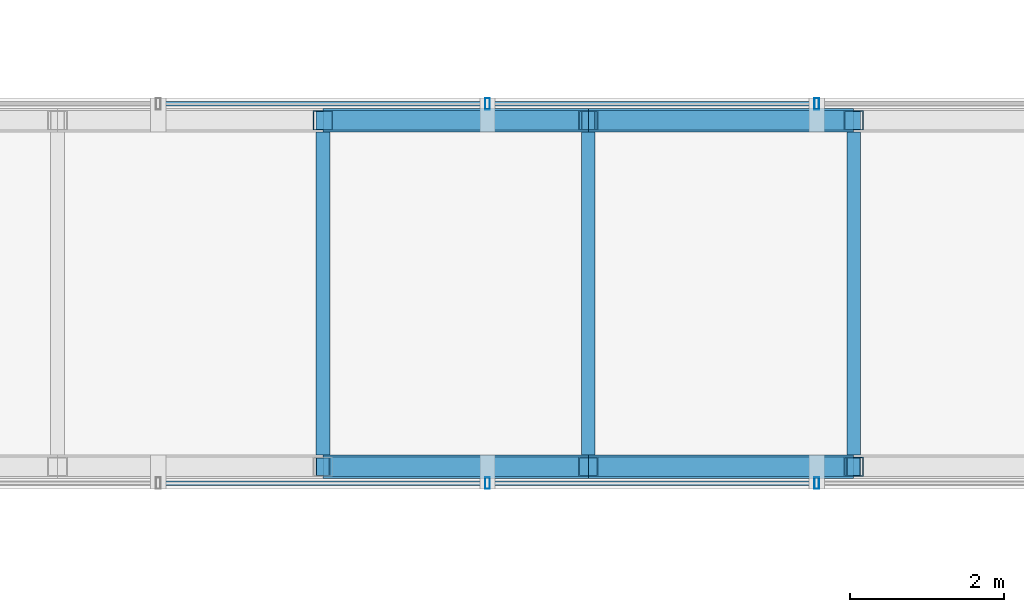
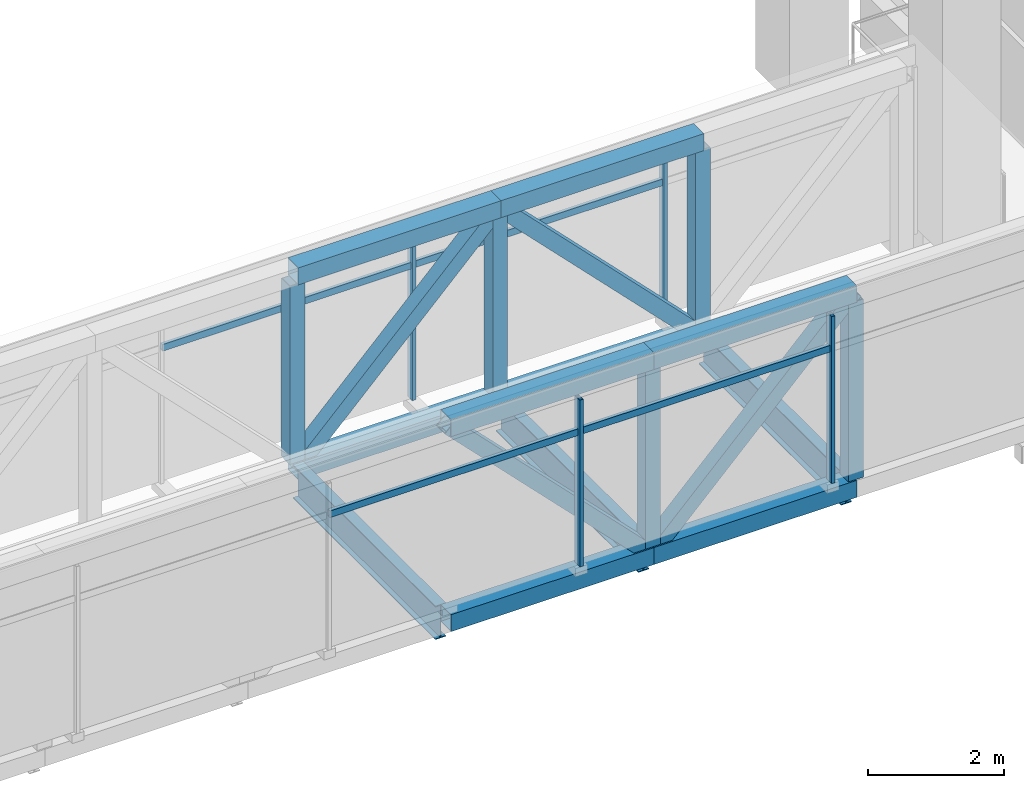
# One storey, part 14 of 48: 25 members, 3 beams, 2 elements without a shape of their own.
"""IFC4 building model written with IfcOpenShell, lengths in metres."""

from ifc_helpers import new_model, si_unit, direction, frame, origin, origin_2d, place, context, subcontext, project, spatial, hollow_rectangle, i_section, extrude, material, material_profile, profile_set, type_object, element, aggregate, save


model = new_model("IFC4")

# Units and contexts
model_context = context("Model", 3, precision=1e-05, world=origin(), true_north=direction((0.0, 1.0)))
body_context = subcontext(model_context, "Body", "Model", "MODEL_VIEW")
ifc_project = project(units=[si_unit("LENGTHUNIT", "METRE"), si_unit("AREAUNIT", "SQUARE_METRE"), si_unit("VOLUMEUNIT", "CUBIC_METRE"), si_unit("PLANEANGLEUNIT", "RADIAN"), si_unit("MASSUNIT", "GRAM", prefix="KILO")], contexts=[model_context])

# Site, building, storey
site_placement = place(None, origin())
site = spatial("IfcSite", under=ifc_project, at=site_placement, CompositionType="ELEMENT")
building_placement = place(site_placement, origin())
building = spatial("IfcBuilding", under=site, at=building_placement, Name="Altepetl Exchange Towers", CompositionType="ELEMENT")
storey_placement = place(building_placement, frame((0.0, 0.0, 138.800048828125)))
storey = spatial("IfcBuildingStorey", under=building, at=storey_placement, Name="L34 Refuge and sky lobby", CompositionType="ELEMENT", Elevation=138.800048828125)

# Members
ifc_material_1 = material(Name="Steel S355", Category="steel")
ifc_material_profile_1 = material_profile(ifc_material_1, hollow_rectangle(XDim=0.304931640625, YDim=0.304931640625, WallThickness=0.01171875, at=origin_2d()), Name="HSS305X305X12.7")
ifc_profile_set_1 = profile_set([ifc_material_profile_1], Name="Steel S355")
member_type_1 = type_object("IfcMemberType", Name="Bridge chord HSS305X305X12.7", PredefinedType="CHORD", material=ifc_profile_set_1)
for number, where, z_axis, x_axis, name in (
    (1, (83.25, 45.0, -0.3525390625), (1.0, 0.0, 0.0), (0.0, 1.0, 0.0), "tr:X:L34:bc-s3"),
    (2, (83.25, 45.0, 3.15234375), (1.0, 0.0, 0.0), (0.0, 1.0, 0.0), "tr:X:L34:tc-s3"),
    (3, (86.699951171875, 45.0, -0.3525390625), (1.0, 0.0, 0.0), (0.0, 1.0, 0.0), "tr:X:L34:bc-s4"),
    (4, (86.699951171875, 45.0, 3.15234375), (1.0, 0.0, 0.0), (0.0, 1.0, 0.0), "tr:X:L34:tc-s4"),
    (5, (83.25, 49.5, -0.3525390625), (1.0, 0.0, 0.0), (0.0, 1.0, 0.0), "tr:X:L34:bc-n3"),
    (6, (83.25, 49.5, 3.15234375), (1.0, 0.0, 0.0), (0.0, 1.0, 0.0), "tr:X:L34:tc-n3"),
    (7, (86.699951171875, 49.5, -0.3525390625), (1.0, 0.0, 0.0), (0.0, 1.0, 0.0), "tr:X:L34:bc-n4"),
    (8, (86.699951171875, 49.5, 3.15234375), (1.0, 0.0, 0.0), (0.0, 1.0, 0.0), "tr:X:L34:tc-n4"),
):
    element("IfcMember", number, at=place(storey_placement, frame(where, z_axis=z_axis, x_axis=x_axis)), inside=storey, type_object=member_type_1, Name=name, PredefinedType="CHORD", context=body_context, shape_type="SweptSolid", body=[
        extrude(hollow_rectangle(XDim=0.304931640625, YDim=0.304931640625, WallThickness=0.01171875, at=origin_2d()), origin(), (0.0, 0.0, 1.0), 3.449951171875),
    ])

# Beams
ifc_material_profile_2 = material_profile(ifc_material_1, i_section(OverallWidth=0.178955078125, OverallDepth=0.60302734375, WebThickness=0.010986328125, FlangeThickness=0.014892578125, at=origin_2d()), Name="W24X62")
ifc_profile_set_2 = profile_set([ifc_material_profile_2], Name="Steel S355")
beam_type = type_object("IfcBeamType", Name="Bridge deck beam W24X62", PredefinedType="BEAM", material=ifc_profile_set_2)
for number, where, z_axis, x_axis, name in (
    (9, (83.25, 45.152587890625, -0.50146484375), (0.0, 1.0, 0.0), (-1.0, 0.0, 0.0), "bm:X:L34:cb3"),
    (10, (86.699951171875, 45.152587890625, -0.50146484375), (0.0, 1.0, 0.0), (-1.0, 0.0, 0.0), "bm:X:L34:cb4"),
    (11, (90.14990234375, 45.152587890625, -0.50146484375), (0.0, 1.0, 0.0), (-1.0, 0.0, 0.0), "bm:X:L34:cb5"),
):
    element("IfcBeam", number, at=place(storey_placement, frame(where, z_axis=z_axis, x_axis=x_axis)), inside=storey, type_object=beam_type, Name=name, PredefinedType="BEAM", context=body_context, shape_type="SweptSolid", body=[
        extrude(i_section(OverallWidth=0.178955078125, OverallDepth=0.60302734375, WebThickness=0.010986328125, FlangeThickness=0.014892578125, at=origin_2d()), origin(), (0.0, 0.0, 1.0), 4.19482421875),
    ])

# Members
ifc_material_profile_3 = material_profile(ifc_material_1, hollow_rectangle(XDim=0.25390625, YDim=0.25390625, WallThickness=0.01171875, at=origin_2d()), Name="HSS254X254X12.7")
ifc_profile_set_3 = profile_set([ifc_material_profile_3], Name="Steel S355")
member_type_2 = type_object("IfcMemberType", Name="Bridge diagonal HSS254X254X12.7", PredefinedType="BRACE", material=ifc_profile_set_3)
for number, where, z_axis, x_axis, name in (
    (12, (83.25, 45.0, 3.15234375), (0.701499930937, 0.0, -0.712669521515), (0.0, 1.0, 0.0), "tr:X:L34:dg-s3"),
    (13, (86.699951171875, 45.0, -0.3525390625), (0.701499930937, 0.0, 0.712669521515), (0.0, 1.0, 0.0), "tr:X:L34:dg-s4"),
    (14, (83.25, 49.5, -0.3525390625), (0.701499930937, 0.0, 0.712669521515), (0.0, 1.0, 0.0), "tr:X:L34:dg-n3"),
    (15, (86.699951171875, 49.5, 3.15234375), (0.701499930937, 0.0, -0.712669521515), (0.0, 1.0, 0.0), "tr:X:L34:dg-n4"),
):
    element("IfcMember", number, at=place(storey_placement, frame(where, z_axis=z_axis, x_axis=x_axis)), inside=storey, type_object=member_type_2, Name=name, PredefinedType="BRACE", context=body_context, shape_type="SweptSolid", body=[
        extrude(hollow_rectangle(XDim=0.25390625, YDim=0.25390625, WallThickness=0.01171875, at=origin_2d()), origin(), (0.0, 0.0, 1.0), 4.91796875),
    ])
ifc_material_profile_4 = material_profile(ifc_material_1, hollow_rectangle(XDim=0.25390625, YDim=0.25390625, WallThickness=0.01171875, at=origin_2d()), Name="HSS254X254X12.7")
ifc_profile_set_4 = profile_set([ifc_material_profile_4], Name="Steel S355")
member_type_3 = type_object("IfcMemberType", Name="Bridge post HSS254X254X12.7", PredefinedType="POST", material=ifc_profile_set_4)
for number, where, name in (
    (16, (86.699951171875, 45.0, -0.199951171875), "tr:X:L34:ps-s4"),
    (17, (90.14990234375, 45.0, -0.199951171875), "tr:X:L34:ps-s5"),
    (18, (83.25, 49.5, -0.199951171875), "tr:X:L34:ps-n3"),
    (19, (86.699951171875, 49.5, -0.199951171875), "tr:X:L34:ps-n4"),
    (20, (90.14990234375, 49.5, -0.199951171875), "tr:X:L34:ps-n5"),
):
    element("IfcMember", number, at=place(storey_placement, frame(where)), inside=storey, type_object=member_type_3, Name=name, PredefinedType="POST", context=body_context, shape_type="SweptSolid", body=[
        extrude(hollow_rectangle(XDim=0.25390625, YDim=0.25390625, WallThickness=0.01171875, at=origin_2d()), origin(), (0.0, 0.0, 1.0), 3.199951171875),
    ])

# Curtain wall, members
ifc_material_2 = material(Name="Aluminium 6063-T6 glazing", Category="aluminium")
curtain_wall_type = type_object("IfcCurtainWallType", Name="Bridge enclosure system", PredefinedType="NOTDEFINED", material=ifc_material_2)
curtain_wall_1_placement = place(storey_placement, origin())
curtain_wall_1 = element("IfcCurtainWall", 21, at=curtain_wall_1_placement, inside=storey, type_object=curtain_wall_type, Name="CW6 run", PredefinedType="NOTDEFINED")
ifc_material_3 = material(Name="Aluminium 6063-T6", Category="aluminium")
ifc_material_profile_5 = material_profile(ifc_material_3, hollow_rectangle(XDim=0.06005859375, YDim=0.14990234375, WallThickness=0.0029296875, at=origin_2d()), Name="Mullion 60x150 aluminium")
ifc_profile_set_5 = profile_set([ifc_material_profile_5], Name="Aluminium 6063-T6")
member_type_4 = type_object("IfcMemberType", Name="Mullion 60x150 aluminium", PredefinedType="MULLION", material=ifc_profile_set_5)
member_1_placement = place(storey_placement, frame((85.389892578125, 44.784912109375, 0.0)))
member_1 = element("IfcMember", 22, at=member_1_placement, type_object=member_type_4, Name="MU1 mullion", PredefinedType="MULLION", context=body_context, shape_type="SweptSolid", body=[
    extrude(hollow_rectangle(XDim=0.06005859375, YDim=0.14990234375, WallThickness=0.0029296875, at=origin_2d()), origin(), (0.0, 0.0, 1.0), 3.0),
])
member_2_placement = place(storey_placement, frame((89.669921875, 44.784912109375, 0.0)))
member_2 = element("IfcMember", 23, at=member_2_placement, type_object=member_type_4, Name="MU1 mullion", PredefinedType="MULLION", context=body_context, shape_type="SweptSolid", body=[
    extrude(hollow_rectangle(XDim=0.06005859375, YDim=0.14990234375, WallThickness=0.0029296875, at=origin_2d()), origin(), (0.0, 0.0, 1.0), 3.0),
])

curtain_wall_2_placement = place(storey_placement, origin())
curtain_wall_2 = element("IfcCurtainWall", 24, at=curtain_wall_2_placement, inside=storey, type_object=curtain_wall_type, Name="CW6 run", PredefinedType="NOTDEFINED")
member_3_placement = place(storey_placement, frame((85.389892578125, 49.715087890625, 0.0)))
member_3 = element("IfcMember", 25, at=member_3_placement, type_object=member_type_4, Name="MU1 mullion", PredefinedType="MULLION", context=body_context, shape_type="SweptSolid", body=[
    extrude(hollow_rectangle(XDim=0.06005859375, YDim=0.14990234375, WallThickness=0.0029296875, at=origin_2d()), origin(), (0.0, 0.0, 1.0), 3.0),
])
member_4_placement = place(storey_placement, frame((89.669921875, 49.715087890625, 0.0)))
member_4 = element("IfcMember", 26, at=member_4_placement, type_object=member_type_4, Name="MU1 mullion", PredefinedType="MULLION", context=body_context, shape_type="SweptSolid", body=[
    extrude(hollow_rectangle(XDim=0.06005859375, YDim=0.14990234375, WallThickness=0.0029296875, at=origin_2d()), origin(), (0.0, 0.0, 1.0), 3.0),
])

# Member
ifc_material_profile_6 = material_profile(ifc_material_3, hollow_rectangle(XDim=0.06005859375, YDim=0.1201171875, WallThickness=0.0029296875, at=origin_2d()), Name="Transom 60x120 aluminium")
ifc_profile_set_6 = profile_set([ifc_material_profile_6], Name="Aluminium 6063-T6")
member_type_5 = type_object("IfcMemberType", Name="Transom 60x120 aluminium", PredefinedType="USERDEFINED", material=ifc_profile_set_6)
member_5_placement = place(storey_placement, frame((81.139892578125, 44.784912109375, 2.39990234375), z_axis=(1.0, 0.0, 0.0), x_axis=(0.0, 1.0, 0.0)))
member_5 = element("IfcMember", 27, at=member_5_placement, type_object=member_type_5, Name="TR1 transom", ObjectType="TRANSOM", PredefinedType="USERDEFINED", context=body_context, shape_type="SweptSolid", body=[
    extrude(hollow_rectangle(XDim=0.06005859375, YDim=0.1201171875, WallThickness=0.0029296875, at=origin_2d()), origin(), (0.0, 0.0, 1.0), 4.22021484375),
])

member_6_placement = place(storey_placement, frame((85.419921875, 44.784912109375, 2.39990234375), z_axis=(1.0, 0.0, 0.0), x_axis=(0.0, 1.0, 0.0)))
member_6 = element("IfcMember", 28, at=member_6_placement, type_object=member_type_5, Name="TR1 transom", ObjectType="TRANSOM", PredefinedType="USERDEFINED", context=body_context, shape_type="SweptSolid", body=[
    extrude(hollow_rectangle(XDim=0.06005859375, YDim=0.1201171875, WallThickness=0.0029296875, at=origin_2d()), origin(), (0.0, 0.0, 1.0), 4.219970703125),
])

aggregate(curtain_wall_1, [member_1, member_2, member_5, member_6])

member_7_placement = place(storey_placement, frame((81.139892578125, 49.715087890625, 2.39990234375), z_axis=(1.0, 0.0, 0.0), x_axis=(0.0, 1.0, 0.0)))
member_7 = element("IfcMember", 29, at=member_7_placement, type_object=member_type_5, Name="TR1 transom", ObjectType="TRANSOM", PredefinedType="USERDEFINED", context=body_context, shape_type="SweptSolid", body=[
    extrude(hollow_rectangle(XDim=0.06005859375, YDim=0.1201171875, WallThickness=0.0029296875, at=origin_2d()), origin(), (0.0, 0.0, 1.0), 4.22021484375),
])

member_8_placement = place(storey_placement, frame((85.419921875, 49.715087890625, 2.39990234375), z_axis=(1.0, 0.0, 0.0), x_axis=(0.0, 1.0, 0.0)))
member_8 = element("IfcMember", 30, at=member_8_placement, type_object=member_type_5, Name="TR1 transom", ObjectType="TRANSOM", PredefinedType="USERDEFINED", context=body_context, shape_type="SweptSolid", body=[
    extrude(hollow_rectangle(XDim=0.06005859375, YDim=0.1201171875, WallThickness=0.0029296875, at=origin_2d()), origin(), (0.0, 0.0, 1.0), 4.219970703125),
])

aggregate(curtain_wall_2, [member_3, member_4, member_7, member_8])

save(model, "model.ifc")
